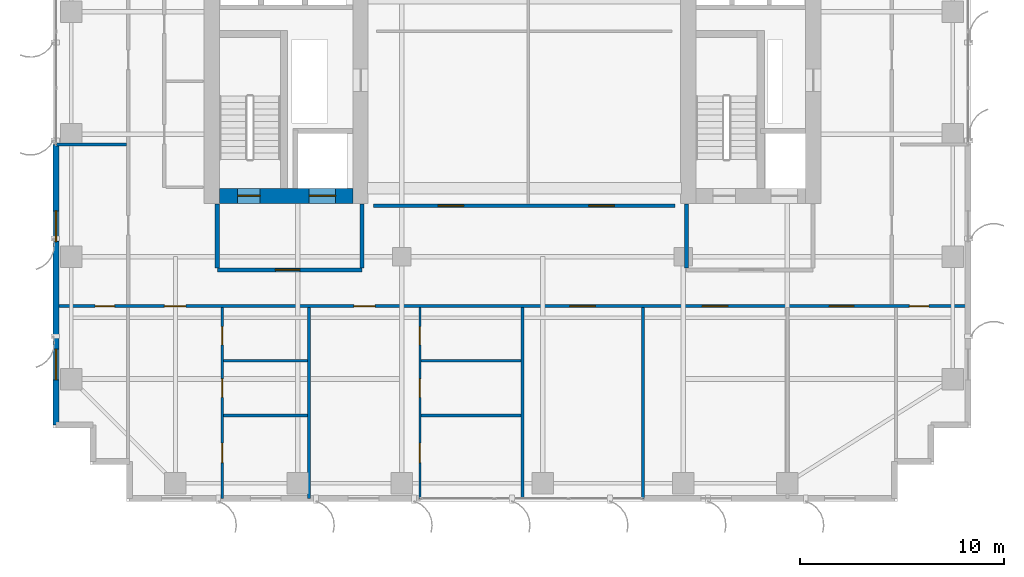
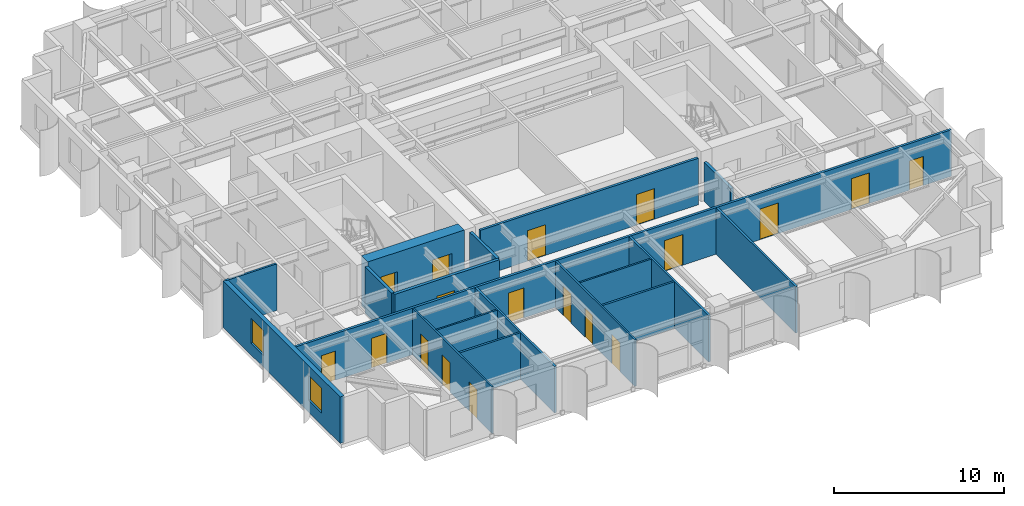
# One storey, part 14 of 21: 18 doors, 18 walls, 2 windows, 20 openings.
"""IFC4 building model written with IfcOpenShell, lengths in metres."""

from ifc_helpers import new_model, si_unit, direction, frame, frame_2d, origin, place, context, subcontext, project, spatial, rectangle, extrude, source, transform, mapped, material, layer, layer_set, type_object, element, fill, save


model = new_model("IFC4")

# Units and contexts
model_context = context("Model", 3, precision=1e-05, world=origin(), true_north=direction((0.0, 1.0)))
body_context = subcontext(model_context, "Body", "Model", "MODEL_VIEW")
ifc_project = project(units=[si_unit("LENGTHUNIT", "METRE"), si_unit("AREAUNIT", "SQUARE_METRE"), si_unit("VOLUMEUNIT", "CUBIC_METRE"), si_unit("PLANEANGLEUNIT", "RADIAN"), si_unit("MASSUNIT", "GRAM", prefix="KILO")], contexts=[model_context])

# Site, building, storey
site_placement = place(None, origin())
site = spatial("IfcSite", under=ifc_project, at=site_placement, CompositionType="ELEMENT")
building_placement = place(site_placement, origin())
building = spatial("IfcBuilding", under=site, at=building_placement, Name="Khoralis Quay Care Tower", CompositionType="ELEMENT")
storey_placement = place(building_placement, frame((0.0, 0.0, 112.5)))
storey = spatial("IfcBuildingStorey", under=building, at=storey_placement, Name="L29", CompositionType="ELEMENT", Elevation=112.5)

# Wall, opening, door
ifc_material_1 = material(Name="Gypsum plasterboard on acoustic metal stud")
ifc_layer_1 = layer(ifc_material_1, 0.199951171875)
ifc_layer_set_1 = layer_set([ifc_layer_1], Name="Gypsum plasterboard on acoustic metal stud")
wall_type_1 = type_object("IfcWallType", Name="WL-COMP-200", PredefinedType="PARTITIONING", material=ifc_layer_set_1)
wall_1_placement = place(storey_placement, frame((8.050048828125, 11.35009765625, 0.0), z_axis=(0.0, 0.0, 1.0), x_axis=(1.0, 0.0, 0.0)))
wall_1 = element("IfcWall", 1, at=wall_1_placement, inside=storey, type_object=wall_type_1, Name="L29 West Firefighting Lobby South Wall", PredefinedType="PARTITIONING", context=body_context, shape_type="SweptSolid", body=[
    extrude(rectangle(XDim=7.099853515625, YDim=0.199951171875, at=frame_2d((3.5498046875, 0.0))), origin(), (0.0, 0.0, 1.0), 3.340087890625),
])
opening_1_placement = place(wall_1_placement, frame((2.846435546875, 0.0, 0.0)))
opening_1 = element("IfcOpeningElement", 2, at=opening_1_placement, cuts=wall_1, Name="Opening FD1", PredefinedType="OPENING", context=body_context, shape_type="SweptSolid", body=[
    extrude(rectangle(XDim=1.199951171875, YDim=2.199951171875, at=frame_2d((0.60009765625, 1.10009765625))), frame((0.0, 0.10986328125, 0.0), z_axis=(0.0, -1.0, 0.0), x_axis=(1.0, 0.0, 0.0)), (0.0, 0.0, 1.0), 0.219970703125),
])
ifc_material_2 = material(Name="Fire-rated painted steel", Category="steel")
door_type_1 = type_object("IfcDoorType", Name="DR-FFL-1200X2200", OperationType="NOTDEFINED", PredefinedType="DOOR", material=ifc_material_2)
shared_shape_1 = source(origin(), body_context, "Body", "SweptSolid", [
    extrude(rectangle(XDim=1.199951171875, YDim=2.199951171875, at=frame_2d((0.60009765625, 1.10009765625))), frame((0.0, 0.02490234375, 0.0), z_axis=(0.0, -1.0, 0.0), x_axis=(1.0, 0.0, 0.0)), (0.0, 0.0, 1.0), 0.050048828125),
])
door_1_placement = place(opening_1_placement, origin())
door_1 = element("IfcDoor", 3, at=door_1_placement, inside=storey, type_object=door_type_1, Name="L29 West Firefighting Lobby Fire Door", OperationType="SINGLE_SWING_LEFT", OverallHeight=2.199951171875, OverallWidth=1.199951171875, PredefinedType="DOOR", context=body_context, shape_type="MappedRepresentation", body=[
    mapped(shared_shape_1, transform((0.0, 0.0, 0.0), scale=1.0)),
])
fill(opening_1, door_1)

# Walls
for number, where, z_axis, x_axis, name in (
    (4, (8.050048828125, 11.445068359375, 0.0), (0.0, 0.0, 1.0), (0.0, 1.0, 0.0), "L29 West Firefighting Lobby West Wall"),
    (5, (15.14990234375, 11.445068359375, 0.0), (0.0, 0.0, 1.0), (0.0, 1.0, 0.0), "L29 West Firefighting Lobby East Wall"),
):
    element("IfcWall", number, at=place(storey_placement, frame(where, z_axis=z_axis, x_axis=x_axis)), inside=storey, type_object=wall_type_1, Name=name, PredefinedType="PARTITIONING", context=body_context, shape_type="SweptSolid", body=[
        extrude(rectangle(XDim=3.135009765625, YDim=0.199951171875, at=frame_2d((1.5673828125, 0.0))), origin(), (0.0, 0.0, 1.0), 3.340087890625),
    ])
wall_2_placement = place(storey_placement, frame((31.050048828125, 11.445068359375, 0.0), z_axis=(0.0, 0.0, 1.0), x_axis=(0.0, 1.0, 0.0)))
element("IfcWall", 6, at=wall_2_placement, inside=storey, type_object=wall_type_1, Name="L29 East Firefighting Lobby West Wall", PredefinedType="PARTITIONING", context=body_context, shape_type="SweptSolid", body=[
    extrude(rectangle(XDim=3.135009765625, YDim=0.199951171875, at=frame_2d((1.5673828125, 0.0))), origin(), (0.0, 0.0, 1.0), 2.7958984375),
])

# Wall, openings, doors
ifc_material_3 = material(Name="Concrete C80/95", Category="concrete")
ifc_layer_2 = layer(ifc_material_3, 0.75)
ifc_layer_set_2 = layer_set([ifc_layer_2], Name="Concrete C80/95")
wall_type_2 = type_object("IfcWallType", Name="WL-CORE-750", PredefinedType="SHEAR", material=ifc_layer_set_2)
wall_3_placement = place(storey_placement, frame((8.14990234375, 14.97509765625, 0.0), z_axis=(0.0, 0.0, 1.0), x_axis=(1.0, 0.0, 0.0)))
wall_3 = element("IfcWall", 7, at=wall_3_placement, inside=storey, type_object=wall_type_2, Name="L29 WCORE South Shear Wall", PredefinedType="SHEAR", context=body_context, shape_type="SweptSolid", body=[
    extrude(rectangle(XDim=6.550048828125, YDim=0.75, at=frame_2d((3.27490234375, 0.0))), origin(), (0.0, 0.0, 1.0), 3.60009765625),
])
opening_2_placement = place(wall_3_placement, frame((0.89990234375, 0.0, 0.0)))
opening_2 = element("IfcOpeningElement", 8, at=opening_2_placement, cuts=wall_3, Name="Opening SD1", PredefinedType="OPENING", context=body_context, shape_type="SweptSolid", body=[
    extrude(rectangle(XDim=1.10009765625, YDim=2.199951171875, at=frame_2d((0.550048828125, 1.10009765625))), frame((0.0, 0.385009765625, 0.0), z_axis=(0.0, -1.0, 0.0), x_axis=(1.0, 0.0, 0.0)), (0.0, 0.0, 1.0), 0.77001953125),
])
opening_3_placement = place(wall_3_placement, frame((4.39990234375, 0.0, 0.0)))
opening_3 = element("IfcOpeningElement", 9, at=opening_3_placement, cuts=wall_3, Name="Opening LD2", PredefinedType="OPENING", context=body_context, shape_type="SweptSolid", body=[
    extrude(rectangle(XDim=1.300048828125, YDim=2.199951171875, at=frame_2d((0.64990234375, 1.10009765625))), frame((0.0, 0.385009765625, 0.0), z_axis=(0.0, -1.0, 0.0), x_axis=(1.0, 0.0, 0.0)), (0.0, 0.0, 1.0), 0.77001953125),
])
door_type_2 = type_object("IfcDoorType", Name="DR-STAIR-1100X2200", OperationType="NOTDEFINED", PredefinedType="DOOR", material=ifc_material_2)
shared_shape_2 = source(origin(), body_context, "Body", "SweptSolid", [
    extrude(rectangle(XDim=1.10009765625, YDim=2.199951171875, at=frame_2d((0.550048828125, 1.10009765625))), frame((0.0, 0.02490234375, 0.0), z_axis=(0.0, -1.0, 0.0), x_axis=(1.0, 0.0, 0.0)), (0.0, 0.0, 1.0), 0.050048828125),
])
door_2_placement = place(opening_2_placement, origin())
door_2 = element("IfcDoor", 10, at=door_2_placement, inside=storey, type_object=door_type_2, Name="L29 Stair ST-T1 Fire Door", OperationType="SINGLE_SWING_LEFT", OverallHeight=2.199951171875, OverallWidth=1.10009765625, PredefinedType="DOOR", context=body_context, shape_type="MappedRepresentation", body=[
    mapped(shared_shape_2, transform((0.0, 0.0, 0.0), scale=1.0)),
])
fill(opening_2, door_2)
ifc_material_4 = material(Name="Brushed stainless steel", Category="steel")
door_type_3 = type_object("IfcDoorType", Name="DR-LIFT-1300X2200", OperationType="SLIDING_TO_RIGHT", PredefinedType="DOOR", material=ifc_material_4)
shared_shape_3 = source(origin(), body_context, "Body", "SweptSolid", [
    extrude(rectangle(XDim=1.300048828125, YDim=2.199951171875, at=frame_2d((0.64990234375, 1.10009765625))), frame((0.0, 0.02490234375, 0.0), z_axis=(0.0, -1.0, 0.0), x_axis=(1.0, 0.0, 0.0)), (0.0, 0.0, 1.0), 0.050048828125),
])
door_3_placement = place(opening_3_placement, origin())
door_3 = element("IfcDoor", 11, at=door_3_placement, inside=storey, type_object=door_type_3, Name="L29 Firefighting Lift FFL-1 Landing Door", OperationType="SLIDING_TO_RIGHT", OverallHeight=2.199951171875, OverallWidth=1.300048828125, PredefinedType="DOOR", context=body_context, shape_type="MappedRepresentation", body=[
    mapped(shared_shape_3, transform((0.0, 0.0, 0.0), scale=1.0)),
])
fill(opening_3, door_3)

ifc_layer_3 = layer(ifc_material_1, 0.1650390625)
ifc_layer_set_3 = layer_set([ifc_layer_3], Name="Gypsum plasterboard on acoustic metal stud")
wall_type_3 = type_object("IfcWallType", Name="WL-CORR-165", PredefinedType="PARTITIONING", material=ifc_layer_set_3)
wall_4_placement = place(storey_placement, frame((0.14501953125, 9.580078125, 0.0), z_axis=(0.0, 0.0, 1.0), x_axis=(1.0, 0.0, 0.0)))
wall_4 = element("IfcWall", 12, at=wall_4_placement, inside=storey, type_object=wall_type_3, Name="L29 South Main Corridor Wall", PredefinedType="PARTITIONING", context=body_context, shape_type="SweptSolid", body=[
    extrude(rectangle(XDim=44.7099609375, YDim=0.1650390625, at=frame_2d((22.35498046875, 0.0))), origin(), (0.0, 0.0, 1.0), 3.340087890625),
])
opening_4_placement = place(wall_4_placement, frame((5.31591796875, 0.0, 0.0)))
opening_4 = element("IfcOpeningElement", 13, at=opening_4_placement, cuts=wall_4, Name="Opening UD1", PredefinedType="OPENING", context=body_context, shape_type="SweptSolid", body=[
    extrude(rectangle(XDim=1.050048828125, YDim=2.14990234375, at=frame_2d((0.52490234375, 1.074951171875))), frame((0.0, 0.092529296875, 0.0), z_axis=(0.0, -1.0, 0.0), x_axis=(1.0, 0.0, 0.0)), (0.0, 0.0, 1.0), 0.18505859375),
])
opening_5_placement = place(wall_4_placement, frame((14.599609375, 0.0, 0.0)))
opening_5 = element("IfcOpeningElement", 14, at=opening_5_placement, cuts=wall_4, Name="Opening UD1", PredefinedType="OPENING", context=body_context, shape_type="SweptSolid", body=[
    extrude(rectangle(XDim=1.050048828125, YDim=2.14990234375, at=frame_2d((0.52490234375, 1.074951171875))), frame((0.0, 0.092529296875, 0.0), z_axis=(0.0, -1.0, 0.0), x_axis=(1.0, 0.0, 0.0)), (0.0, 0.0, 1.0), 0.18505859375),
])
opening_6_placement = place(wall_4_placement, frame((25.195068359375, 0.0, 0.0)))
opening_6 = element("IfcOpeningElement", 15, at=opening_6_placement, cuts=wall_4, Name="Opening CD1", PredefinedType="OPENING", context=body_context, shape_type="SweptSolid", body=[
    extrude(rectangle(XDim=1.25, YDim=2.199951171875, at=frame_2d((0.625, 1.10009765625))), frame((0.0, 0.092529296875, 0.0), z_axis=(0.0, -1.0, 0.0), x_axis=(1.0, 0.0, 0.0)), (0.0, 0.0, 1.0), 0.18505859375),
])
opening_7_placement = place(wall_4_placement, frame((31.68994140625, 0.0, 0.0)))
opening_7 = element("IfcOpeningElement", 16, at=opening_7_placement, cuts=wall_4, Name="Opening CD1", PredefinedType="OPENING", context=body_context, shape_type="SweptSolid", body=[
    extrude(rectangle(XDim=1.25, YDim=2.199951171875, at=frame_2d((0.625, 1.10009765625))), frame((0.0, 0.092529296875, 0.0), z_axis=(0.0, -1.0, 0.0), x_axis=(1.0, 0.0, 0.0)), (0.0, 0.0, 1.0), 0.18505859375),
])
opening_8_placement = place(wall_4_placement, frame((37.9150390625, 0.0, 0.0)))
opening_8 = element("IfcOpeningElement", 17, at=opening_8_placement, cuts=wall_4, Name="Opening FD1", PredefinedType="OPENING", context=body_context, shape_type="SweptSolid", body=[
    extrude(rectangle(XDim=1.199951171875, YDim=2.199951171875, at=frame_2d((0.60009765625, 1.10009765625))), frame((0.0, 0.092529296875, 0.0), z_axis=(0.0, -1.0, 0.0), x_axis=(1.0, 0.0, 0.0)), (0.0, 0.0, 1.0), 0.18505859375),
])
opening_9_placement = place(wall_4_placement, frame((1.919921875, 0.0, 0.0)))
opening_9 = element("IfcOpeningElement", 18, at=opening_9_placement, cuts=wall_4, Name="Opening ID1", PredefinedType="OPENING", context=body_context, shape_type="SweptSolid", body=[
    extrude(rectangle(XDim=0.949951171875, YDim=2.10009765625, at=frame_2d((0.47509765625, 1.050048828125))), frame((0.0, 0.092529296875, 0.0), z_axis=(0.0, -1.0, 0.0), x_axis=(1.0, 0.0, 0.0)), (0.0, 0.0, 1.0), 0.18505859375),
])
opening_10_placement = place(wall_4_placement, frame((41.840087890625, 0.0, 0.0)))
opening_10 = element("IfcOpeningElement", 19, at=opening_10_placement, cuts=wall_4, Name="Opening ID1", PredefinedType="OPENING", context=body_context, shape_type="SweptSolid", body=[
    extrude(rectangle(XDim=0.949951171875, YDim=2.10009765625, at=frame_2d((0.47509765625, 1.050048828125))), frame((0.0, 0.092529296875, 0.0), z_axis=(0.0, -1.0, 0.0), x_axis=(1.0, 0.0, 0.0)), (0.0, 0.0, 1.0), 0.18505859375),
])
door_4_placement = place(opening_8_placement, frame((1.199951171875, 0.0, 0.0), z_axis=(0.0, 0.0, 1.0), x_axis=(-1.0, 0.0, 0.0)))
door_4 = element("IfcDoor", 20, at=door_4_placement, inside=storey, type_object=door_type_1, Name="L29 Resident Communal Day Lounge Door", OperationType="DOUBLE_DOOR_SINGLE_SWING", OverallHeight=2.199951171875, OverallWidth=1.199951171875, PredefinedType="DOOR", context=body_context, shape_type="MappedRepresentation", body=[
    mapped(shared_shape_1, transform((0.0, 0.0, 0.0), scale=1.0)),
])
fill(opening_8, door_4)
ifc_material_5 = material(Name="Acoustic hardwood timber", Category="wood")
door_type_4 = type_object("IfcDoorType", Name="DR-CARE-1250X2200", OperationType="NOTDEFINED", PredefinedType="DOOR", material=ifc_material_5)
shared_shape_4 = source(origin(), body_context, "Body", "SweptSolid", [
    extrude(rectangle(XDim=1.25, YDim=2.199951171875, at=frame_2d((0.625, 1.10009765625))), frame((0.0, 0.02490234375, 0.0), z_axis=(0.0, -1.0, 0.0), x_axis=(1.0, 0.0, 0.0)), (0.0, 0.0, 1.0), 0.050048828125),
])
door_5_placement = place(opening_6_placement, frame((1.25, 0.0, 0.0), z_axis=(0.0, 0.0, 1.0), x_axis=(-1.0, 0.0, 0.0)))
door_5 = element("IfcDoor", 21, at=door_5_placement, inside=storey, type_object=door_type_4, Name="L29 Physiotherapy Treatment Clinic Door", OperationType="SINGLE_SWING_LEFT", OverallHeight=2.199951171875, OverallWidth=1.25, PredefinedType="DOOR", context=body_context, shape_type="MappedRepresentation", body=[
    mapped(shared_shape_4, transform((0.0, 0.0, 0.0), scale=1.0)),
])
fill(opening_6, door_5)
door_6_placement = place(opening_7_placement, frame((1.25, 0.0, 0.0), z_axis=(0.0, 0.0, 1.0), x_axis=(-1.0, 0.0, 0.0)))
door_6 = element("IfcDoor", 22, at=door_6_placement, inside=storey, type_object=door_type_4, Name="L29 Geriatric Consultation Clinic Door", OperationType="SINGLE_SWING_RIGHT", OverallHeight=2.199951171875, OverallWidth=1.25, PredefinedType="DOOR", context=body_context, shape_type="MappedRepresentation", body=[
    mapped(shared_shape_4, transform((0.0, 0.0, 0.0), scale=1.0)),
])
fill(opening_7, door_6)
door_type_5 = type_object("IfcDoorType", Name="DR-ROOM-950X2100", OperationType="NOTDEFINED", PredefinedType="DOOR", material=ifc_material_5)
shared_shape_5 = source(origin(), body_context, "Body", "SweptSolid", [
    extrude(rectangle(XDim=0.949951171875, YDim=2.10009765625, at=frame_2d((0.47509765625, 1.050048828125))), frame((0.0, 0.02490234375, 0.0), z_axis=(0.0, -1.0, 0.0), x_axis=(1.0, 0.0, 0.0)), (0.0, 0.0, 1.0), 0.050048828125),
])
door_7_placement = place(opening_9_placement, frame((0.949951171875, 0.0, 0.0), z_axis=(0.0, 0.0, 1.0), x_axis=(-1.0, 0.0, 0.0)))
door_7 = element("IfcDoor", 23, at=door_7_placement, inside=storey, type_object=door_type_5, Name="L29 SW Corner Door", OperationType="SINGLE_SWING_LEFT", OverallHeight=2.10009765625, OverallWidth=0.949951171875, PredefinedType="DOOR", context=body_context, shape_type="MappedRepresentation", body=[
    mapped(shared_shape_5, transform((0.0, 0.0, 0.0), scale=1.0)),
])
fill(opening_9, door_7)
door_8_placement = place(opening_10_placement, frame((0.949951171875, 0.0, 0.0), z_axis=(0.0, 0.0, 1.0), x_axis=(-1.0, 0.0, 0.0)))
door_8 = element("IfcDoor", 24, at=door_8_placement, inside=storey, type_object=door_type_5, Name="L29 SE Corner Door", OperationType="SINGLE_SWING_RIGHT", OverallHeight=2.10009765625, OverallWidth=0.949951171875, PredefinedType="DOOR", context=body_context, shape_type="MappedRepresentation", body=[
    mapped(shared_shape_5, transform((0.0, 0.0, 0.0), scale=1.0)),
])
fill(opening_10, door_8)
door_type_6 = type_object("IfcDoorType", Name="DR-SUITE-1050X2150", OperationType="NOTDEFINED", PredefinedType="DOOR", material=ifc_material_5)
shared_shape_6 = source(origin(), body_context, "Body", "SweptSolid", [
    extrude(rectangle(XDim=1.050048828125, YDim=2.14990234375, at=frame_2d((0.52490234375, 1.074951171875))), frame((0.0, 0.02490234375, 0.0), z_axis=(0.0, -1.0, 0.0), x_axis=(1.0, 0.0, 0.0)), (0.0, 0.0, 1.0), 0.050048828125),
])
door_9_placement = place(opening_4_placement, frame((1.050048828125, 0.0, 0.0), z_axis=(0.0, 0.0, 1.0), x_axis=(-1.0, 0.0, 0.0)))
door_9 = element("IfcDoor", 25, at=door_9_placement, inside=storey, type_object=door_type_6, Name="L29 Apartment SB0 Entrance Door", OperationType="SINGLE_SWING_LEFT", OverallHeight=2.14990234375, OverallWidth=1.050048828125, PredefinedType="DOOR", context=body_context, shape_type="MappedRepresentation", body=[
    mapped(shared_shape_6, transform((0.0, 0.0, 0.0), scale=1.0)),
])
fill(opening_4, door_9)
door_10_placement = place(opening_5_placement, frame((1.050048828125, 0.0, 0.0), z_axis=(0.0, 0.0, 1.0), x_axis=(-1.0, 0.0, 0.0)))
door_10 = element("IfcDoor", 26, at=door_10_placement, inside=storey, type_object=door_type_6, Name="L29 Apartment SB1 Entrance Door", OperationType="SINGLE_SWING_RIGHT", OverallHeight=2.14990234375, OverallWidth=1.050048828125, PredefinedType="DOOR", context=body_context, shape_type="MappedRepresentation", body=[
    mapped(shared_shape_6, transform((0.0, 0.0, 0.0), scale=1.0)),
])
fill(opening_5, door_10)

wall_5_placement = place(storey_placement, frame((15.699951171875, 14.5, 0.0), z_axis=(0.0, 0.0, 1.0), x_axis=(1.0, 0.0, 0.0)))
wall_5 = element("IfcWall", 27, at=wall_5_placement, inside=storey, type_object=wall_type_3, Name="L29 Central Clinical South Wall", PredefinedType="PARTITIONING", context=body_context, shape_type="SweptSolid", body=[
    extrude(rectangle(XDim=14.800048828125, YDim=0.1650390625, at=frame_2d((7.39990234375, 0.0))), origin(), (0.0, 0.0, 1.0), 3.340087890625),
])
opening_11_placement = place(wall_5_placement, frame((3.175048828125, 0.0, 0.0)))
opening_11 = element("IfcOpeningElement", 28, at=opening_11_placement, cuts=wall_5, Name="Opening CD1", PredefinedType="OPENING", context=body_context, shape_type="SweptSolid", body=[
    extrude(rectangle(XDim=1.25, YDim=2.199951171875, at=frame_2d((0.625, 1.10009765625))), frame((0.0, 0.092529296875, 0.0), z_axis=(0.0, -1.0, 0.0), x_axis=(1.0, 0.0, 0.0)), (0.0, 0.0, 1.0), 0.18505859375),
])
opening_12_placement = place(wall_5_placement, frame((10.574951171875, 0.0, 0.0)))
opening_12 = element("IfcOpeningElement", 29, at=opening_12_placement, cuts=wall_5, Name="Opening CD1", PredefinedType="OPENING", context=body_context, shape_type="SweptSolid", body=[
    extrude(rectangle(XDim=1.25, YDim=2.199951171875, at=frame_2d((0.625, 1.10009765625))), frame((0.0, 0.092529296875, 0.0), z_axis=(0.0, -1.0, 0.0), x_axis=(1.0, 0.0, 0.0)), (0.0, 0.0, 1.0), 0.18505859375),
])
door_11_placement = place(opening_11_placement, origin())
door_11 = element("IfcDoor", 30, at=door_11_placement, inside=storey, type_object=door_type_4, Name="L29 Nurse Station Door", OperationType="SINGLE_SWING_LEFT", OverallHeight=2.199951171875, OverallWidth=1.25, PredefinedType="DOOR", context=body_context, shape_type="MappedRepresentation", body=[
    mapped(shared_shape_4, transform((0.0, 0.0, 0.0), scale=1.0)),
])
fill(opening_11, door_11)
door_12_placement = place(opening_12_placement, origin())
door_12 = element("IfcDoor", 31, at=door_12_placement, inside=storey, type_object=door_type_4, Name="L29 Treatment Clinic Door", OperationType="SINGLE_SWING_RIGHT", OverallHeight=2.199951171875, OverallWidth=1.25, PredefinedType="DOOR", context=body_context, shape_type="MappedRepresentation", body=[
    mapped(shared_shape_4, transform((0.0, 0.0, 0.0), scale=1.0)),
])
fill(opening_12, door_12)

# Wall, openings, windows
ifc_material_6 = material(Name="Precast concrete C45/55", Category="concrete")
ifc_layer_4 = layer(ifc_material_6, 0.300048828125)
ifc_layer_set_4 = layer_set([ifc_layer_4], Name="Precast concrete C45/55")
wall_type_4 = type_object("IfcWallType", Name="WL-EXT-REF-300", PredefinedType="SOLIDWALL", material=ifc_layer_set_4)
wall_6_placement = place(storey_placement, frame((0.14990234375, 17.5, 0.0), z_axis=(0.0, 0.0, 1.0), x_axis=(0.0, -1.0, 0.0)))
wall_6 = element("IfcWall", 32, at=wall_6_placement, inside=storey, type_object=wall_type_4, Name="L29 External Facade Wall WL-EXT-L29-P1-E15B", PredefinedType="SOLIDWALL", context=body_context, shape_type="SweptSolid", body=[
    extrude(rectangle(XDim=13.75, YDim=0.300048828125, at=frame_2d((6.875, 0.0))), origin(), (0.0, 0.0, 1.0), 3.340087890625),
])
opening_13_placement = place(wall_6_placement, frame((3.260009765625, 0.0, 0.85009765625)))
opening_13 = element("IfcOpeningElement", 33, at=opening_13_placement, cuts=wall_6, Name="Opening W3", PredefinedType="OPENING", context=body_context, shape_type="SweptSolid", body=[
    extrude(rectangle(XDim=1.5, YDim=1.800048828125, at=frame_2d((0.75, 0.89990234375))), frame((0.0, 0.16015625, 0.0), z_axis=(0.0, -1.0, 0.0), x_axis=(1.0, 0.0, 0.0)), (0.0, 0.0, 1.0), 0.320068359375),
])
opening_14_placement = place(wall_6_placement, frame((10.034912109375, 0.0, 0.85009765625)))
opening_14 = element("IfcOpeningElement", 34, at=opening_14_placement, cuts=wall_6, Name="Opening W3", PredefinedType="OPENING", context=body_context, shape_type="SweptSolid", body=[
    extrude(rectangle(XDim=1.5, YDim=1.800048828125, at=frame_2d((0.75, 0.89990234375))), frame((0.0, 0.16015625, 0.0), z_axis=(0.0, -1.0, 0.0), x_axis=(1.0, 0.0, 0.0)), (0.0, 0.0, 1.0), 0.320068359375),
])
ifc_material_7 = material(Name="Low-E solar-control double glazing", Category="glass")
window_type = type_object("IfcWindowType", Name="WN-CLIN-1500X1800", PartitioningType="SINGLE_PANEL", PredefinedType="WINDOW", material=ifc_material_7)
shared_shape_7 = source(origin(), body_context, "Body", "SweptSolid", [
    extrude(rectangle(XDim=1.5, YDim=1.800048828125, at=frame_2d((0.75, 0.89990234375))), frame((0.0, 0.030029296875, 0.0), z_axis=(0.0, -1.0, 0.0), x_axis=(1.0, 0.0, 0.0)), (0.0, 0.0, 1.0), 0.06005859375),
])
window_1_placement = place(opening_13_placement, origin())
window_1 = element("IfcWindow", 35, at=window_1_placement, inside=storey, type_object=window_type, Name="WN-L29-P1-E15B Facade Window 01", OverallHeight=1.800048828125, OverallWidth=1.5, PartitioningType="SINGLE_PANEL", PredefinedType="WINDOW", context=body_context, shape_type="MappedRepresentation", body=[
    mapped(shared_shape_7, transform((0.0, 0.0, 0.0), scale=1.0)),
])
fill(opening_13, window_1)
window_2_placement = place(opening_14_placement, origin())
window_2 = element("IfcWindow", 36, at=window_2_placement, inside=storey, type_object=window_type, Name="WN-L29-P1-E15B Facade Window 02", OverallHeight=1.800048828125, OverallWidth=1.5, PartitioningType="SINGLE_PANEL", PredefinedType="WINDOW", context=body_context, shape_type="MappedRepresentation", body=[
    mapped(shared_shape_7, transform((0.0, 0.0, 0.0), scale=1.0)),
])
fill(opening_14, window_2)

# Wall, openings, doors
ifc_layer_5 = layer(ifc_material_1, 0.114990234375)
ifc_layer_set_5 = layer_set([ifc_layer_5], Name="Gypsum plasterboard on acoustic metal stud")
wall_type_5 = type_object("IfcWallType", Name="WL-PART-115", PredefinedType="PARTITIONING", material=ifc_layer_set_5)
wall_7_placement = place(storey_placement, frame((8.2919921875, 0.14501953125, 0.0), z_axis=(0.0, 0.0, 1.0), x_axis=(0.0, 1.0, 0.0)))
wall_7 = element("IfcWall", 37, at=wall_7_placement, inside=storey, type_object=wall_type_5, Name="L29 Unit 0 Internal Wall", PredefinedType="PARTITIONING", context=body_context, shape_type="SweptSolid", body=[
    extrude(rectangle(XDim=9.357421875, YDim=0.114990234375, at=frame_2d((4.6787109375, 0.0))), origin(), (0.0, 0.0, 1.0), 3.340087890625),
])
opening_15_placement = place(wall_7_placement, frame((1.762451171875, 0.0, 0.0)))
opening_15 = element("IfcOpeningElement", 38, at=opening_15_placement, cuts=wall_7, Name="Opening ID1", PredefinedType="OPENING", context=body_context, shape_type="SweptSolid", body=[
    extrude(rectangle(XDim=0.949951171875, YDim=2.10009765625, at=frame_2d((0.47509765625, 1.050048828125))), frame((0.0, 0.0673828125, 0.0), z_axis=(0.0, -1.0, 0.0), x_axis=(1.0, 0.0, 0.0)), (0.0, 0.0, 1.0), 0.135009765625),
])
opening_16_placement = place(wall_7_placement, frame((4.9609375, 0.0, 0.0)))
opening_16 = element("IfcOpeningElement", 39, at=opening_16_placement, cuts=wall_7, Name="Opening WD1", PredefinedType="OPENING", context=body_context, shape_type="SweptSolid", body=[
    extrude(rectangle(XDim=0.89990234375, YDim=2.10009765625, at=frame_2d((0.449951171875, 1.050048828125))), frame((0.0, 0.0673828125, 0.0), z_axis=(0.0, -1.0, 0.0), x_axis=(1.0, 0.0, 0.0)), (0.0, 0.0, 1.0), 0.135009765625),
])
opening_17_placement = place(wall_7_placement, frame((7.528564453125, 0.0, 0.0)))
opening_17 = element("IfcOpeningElement", 40, at=opening_17_placement, cuts=wall_7, Name="Opening WD1", PredefinedType="OPENING", context=body_context, shape_type="SweptSolid", body=[
    extrude(rectangle(XDim=0.89990234375, YDim=2.10009765625, at=frame_2d((0.449951171875, 1.050048828125))), frame((0.0, 0.0673828125, 0.0), z_axis=(0.0, -1.0, 0.0), x_axis=(1.0, 0.0, 0.0)), (0.0, 0.0, 1.0), 0.135009765625),
])
door_type_7 = type_object("IfcDoorType", Name="DR-BATH-900X2100", OperationType="NOTDEFINED", PredefinedType="DOOR", material=ifc_material_5)
shared_shape_8 = source(origin(), body_context, "Body", "SweptSolid", [
    extrude(rectangle(XDim=0.89990234375, YDim=2.10009765625, at=frame_2d((0.449951171875, 1.050048828125))), frame((0.0, 0.02490234375, 0.0), z_axis=(0.0, -1.0, 0.0), x_axis=(1.0, 0.0, 0.0)), (0.0, 0.0, 1.0), 0.050048828125),
])
door_13_placement = place(opening_16_placement, frame((0.89990234375, 0.0, 0.0), z_axis=(0.0, 0.0, 1.0), x_axis=(-1.0, 0.0, 0.0)))
door_13 = element("IfcDoor", 41, at=door_13_placement, inside=storey, type_object=door_type_7, Name="L29 Apartment SB0 KIT Door", OperationType="SINGLE_SWING_LEFT", OverallHeight=2.10009765625, OverallWidth=0.89990234375, PredefinedType="DOOR", context=body_context, shape_type="MappedRepresentation", body=[
    mapped(shared_shape_8, transform((0.0, 0.0, 0.0), scale=1.0)),
])
fill(opening_16, door_13)
door_14_placement = place(opening_17_placement, frame((0.89990234375, 0.0, 0.0), z_axis=(0.0, 0.0, 1.0), x_axis=(-1.0, 0.0, 0.0)))
door_14 = element("IfcDoor", 42, at=door_14_placement, inside=storey, type_object=door_type_7, Name="L29 Apartment SB0 BTH Door", OperationType="SINGLE_SWING_RIGHT", OverallHeight=2.10009765625, OverallWidth=0.89990234375, PredefinedType="DOOR", context=body_context, shape_type="MappedRepresentation", body=[
    mapped(shared_shape_8, transform((0.0, 0.0, 0.0), scale=1.0)),
])
fill(opening_17, door_14)
door_15_placement = place(opening_15_placement, frame((0.949951171875, 0.0, 0.0), z_axis=(0.0, 0.0, 1.0), x_axis=(-1.0, 0.0, 0.0)))
door_15 = element("IfcDoor", 43, at=door_15_placement, inside=storey, type_object=door_type_5, Name="L29 Apartment SB0 BED Door", OperationType="SINGLE_SWING_RIGHT", OverallHeight=2.10009765625, OverallWidth=0.949951171875, PredefinedType="DOOR", context=body_context, shape_type="MappedRepresentation", body=[
    mapped(shared_shape_5, transform((0.0, 0.0, 0.0), scale=1.0)),
])
fill(opening_15, door_15)

# Wall
wall_8_placement = place(storey_placement, frame((8.344482421875, 6.89697265625, 0.0), z_axis=(0.0, 0.0, 1.0), x_axis=(1.0, 0.0, 0.0)))
element("IfcWall", 44, at=wall_8_placement, inside=storey, type_object=wall_type_5, Name="L29 Unit 0 Kitchen Wall", PredefinedType="PARTITIONING", context=body_context, shape_type="SweptSolid", body=[
    extrude(rectangle(XDim=4.140625, YDim=0.114990234375, at=frame_2d((2.0703125, 0.0))), origin(), (0.0, 0.0, 1.0), 3.340087890625),
])

# Wall, openings, doors
wall_9_placement = place(storey_placement, frame((17.989013671875, 0.14501953125, 0.0), z_axis=(0.0, 0.0, 1.0), x_axis=(0.0, 1.0, 0.0)))
wall_9 = element("IfcWall", 45, at=wall_9_placement, inside=storey, type_object=wall_type_5, Name="L29 Unit 1 Internal Wall", PredefinedType="PARTITIONING", context=body_context, shape_type="SweptSolid", body=[
    extrude(rectangle(XDim=9.357421875, YDim=0.114990234375, at=frame_2d((4.6787109375, 0.0))), origin(), (0.0, 0.0, 1.0), 3.340087890625),
])
opening_18_placement = place(wall_9_placement, frame((1.762451171875, 0.0, 0.0)))
opening_18 = element("IfcOpeningElement", 46, at=opening_18_placement, cuts=wall_9, Name="Opening ID1", PredefinedType="OPENING", context=body_context, shape_type="SweptSolid", body=[
    extrude(rectangle(XDim=0.949951171875, YDim=2.10009765625, at=frame_2d((0.47509765625, 1.050048828125))), frame((0.0, 0.0673828125, 0.0), z_axis=(0.0, -1.0, 0.0), x_axis=(1.0, 0.0, 0.0)), (0.0, 0.0, 1.0), 0.135009765625),
])
opening_19_placement = place(wall_9_placement, frame((4.9609375, 0.0, 0.0)))
opening_19 = element("IfcOpeningElement", 47, at=opening_19_placement, cuts=wall_9, Name="Opening WD1", PredefinedType="OPENING", context=body_context, shape_type="SweptSolid", body=[
    extrude(rectangle(XDim=0.89990234375, YDim=2.10009765625, at=frame_2d((0.449951171875, 1.050048828125))), frame((0.0, 0.0673828125, 0.0), z_axis=(0.0, -1.0, 0.0), x_axis=(1.0, 0.0, 0.0)), (0.0, 0.0, 1.0), 0.135009765625),
])
opening_20_placement = place(wall_9_placement, frame((7.528564453125, 0.0, 0.0)))
opening_20 = element("IfcOpeningElement", 48, at=opening_20_placement, cuts=wall_9, Name="Opening WD1", PredefinedType="OPENING", context=body_context, shape_type="SweptSolid", body=[
    extrude(rectangle(XDim=0.89990234375, YDim=2.10009765625, at=frame_2d((0.449951171875, 1.050048828125))), frame((0.0, 0.0673828125, 0.0), z_axis=(0.0, -1.0, 0.0), x_axis=(1.0, 0.0, 0.0)), (0.0, 0.0, 1.0), 0.135009765625),
])
door_16_placement = place(opening_19_placement, frame((0.89990234375, 0.0, 0.0), z_axis=(0.0, 0.0, 1.0), x_axis=(-1.0, 0.0, 0.0)))
door_16 = element("IfcDoor", 49, at=door_16_placement, inside=storey, type_object=door_type_7, Name="L29 Apartment SB1 KIT Door", OperationType="SINGLE_SWING_RIGHT", OverallHeight=2.10009765625, OverallWidth=0.89990234375, PredefinedType="DOOR", context=body_context, shape_type="MappedRepresentation", body=[
    mapped(shared_shape_8, transform((0.0, 0.0, 0.0), scale=1.0)),
])
fill(opening_19, door_16)
door_17_placement = place(opening_20_placement, frame((0.89990234375, 0.0, 0.0), z_axis=(0.0, 0.0, 1.0), x_axis=(-1.0, 0.0, 0.0)))
door_17 = element("IfcDoor", 50, at=door_17_placement, inside=storey, type_object=door_type_7, Name="L29 Apartment SB1 BTH Door", OperationType="SINGLE_SWING_LEFT", OverallHeight=2.10009765625, OverallWidth=0.89990234375, PredefinedType="DOOR", context=body_context, shape_type="MappedRepresentation", body=[
    mapped(shared_shape_8, transform((0.0, 0.0, 0.0), scale=1.0)),
])
fill(opening_20, door_17)
door_18_placement = place(opening_18_placement, frame((0.949951171875, 0.0, 0.0), z_axis=(0.0, 0.0, 1.0), x_axis=(-1.0, 0.0, 0.0)))
door_18 = element("IfcDoor", 51, at=door_18_placement, inside=storey, type_object=door_type_5, Name="L29 Apartment SB1 BED Door", OperationType="SINGLE_SWING_LEFT", OverallHeight=2.10009765625, OverallWidth=0.949951171875, PredefinedType="DOOR", context=body_context, shape_type="MappedRepresentation", body=[
    mapped(shared_shape_5, transform((0.0, 0.0, 0.0), scale=1.0)),
])
fill(opening_18, door_18)

# Walls
wall_10_placement = place(storey_placement, frame((18.04150390625, 6.89697265625, 0.0), z_axis=(0.0, 0.0, 1.0), x_axis=(1.0, 0.0, 0.0)))
element("IfcWall", 52, at=wall_10_placement, inside=storey, type_object=wall_type_5, Name="L29 Unit 1 Kitchen Wall", PredefinedType="PARTITIONING", context=body_context, shape_type="SweptSolid", body=[
    extrude(rectangle(XDim=4.903564453125, YDim=0.114990234375, at=frame_2d((2.45166015625, 0.0))), origin(), (0.0, 0.0, 1.0), 3.340087890625),
])
ifc_material_8 = material(Name="Moisture-resistant gypsum and ceramic tile")
ifc_layer_6 = layer(ifc_material_8, 0.280029296875)
ifc_layer_set_6 = layer_set([ifc_layer_6], Name="Moisture-resistant gypsum and ceramic tile")
wall_type_6 = type_object("IfcWallType", Name="WL-PLUMB-280", PredefinedType="PLUMBINGWALL", material=ifc_layer_set_6)
wall_11_placement = place(storey_placement, frame((8.344482421875, 4.215087890625, 0.0), z_axis=(0.0, 0.0, 1.0), x_axis=(1.0, 0.0, 0.0)))
element("IfcWall", 53, at=wall_11_placement, inside=storey, type_object=wall_type_6, Name="L29 Unit 0 Wet Wall", PredefinedType="PLUMBINGWALL", context=body_context, shape_type="SweptSolid", body=[
    extrude(rectangle(XDim=4.140625, YDim=0.139892578125, at=frame_2d((2.0703125, 0.0))), origin(), (0.0, 0.0, 1.0), 3.340087890625),
])
wall_12_placement = place(storey_placement, frame((18.04150390625, 4.215087890625, 0.0), z_axis=(0.0, 0.0, 1.0), x_axis=(1.0, 0.0, 0.0)))
element("IfcWall", 54, at=wall_12_placement, inside=storey, type_object=wall_type_6, Name="L29 Unit 1 Wet Wall", PredefinedType="PLUMBINGWALL", context=body_context, shape_type="SweptSolid", body=[
    extrude(rectangle(XDim=4.903564453125, YDim=0.139892578125, at=frame_2d((2.45166015625, 0.0))), origin(), (0.0, 0.0, 1.0), 3.340087890625),
])
ifc_layer_7 = layer(ifc_material_1, 0.139892578125)
ifc_layer_set_7 = layer_set([ifc_layer_7], Name="Gypsum plasterboard on acoustic metal stud")
wall_type_7 = type_object("IfcWallType", Name="WL-UNIT-140", PredefinedType="PARTITIONING", material=ifc_layer_set_7)
wall_13_placement = place(storey_placement, frame((0.14501953125, 17.5, 0.0), z_axis=(0.0, 0.0, 1.0), x_axis=(1.0, 0.0, 0.0)))
element("IfcWall", 55, at=wall_13_placement, inside=storey, type_object=wall_type_7, Name="L29 WW Divider 1", PredefinedType="PARTITIONING", context=body_context, shape_type="SweptSolid", body=[
    extrude(rectangle(XDim=3.45751953125, YDim=0.139892578125, at=frame_2d((1.728759765625, 0.0))), origin(), (0.0, 0.0, 1.0), 3.340087890625),
])
for number, where, z_axis, x_axis, name in (
    (56, (12.550048828125, 0.14501953125, 0.0), (0.0, 0.0, 1.0), (0.0, 1.0, 0.0), "L29 SB Demising Wall 1"),
    (57, (23.010009765625, 0.14501953125, 0.0), (0.0, 0.0, 1.0), (0.0, 1.0, 0.0), "L29 SB Demising Wall 2"),
    (58, (28.919921875, 0.14501953125, 0.0), (0.0, 0.0, 1.0), (0.0, 1.0, 0.0), "L29 SB Demising Wall 3"),
):
    element("IfcWall", number, at=place(storey_placement, frame(where, z_axis=z_axis, x_axis=x_axis)), inside=storey, type_object=wall_type_7, Name=name, PredefinedType="PARTITIONING", context=body_context, shape_type="SweptSolid", body=[
        extrude(rectangle(XDim=9.357421875, YDim=0.139892578125, at=frame_2d((4.6787109375, 0.0))), origin(), (0.0, 0.0, 1.0), 3.340087890625),
    ])

save(model, "model.ifc")
